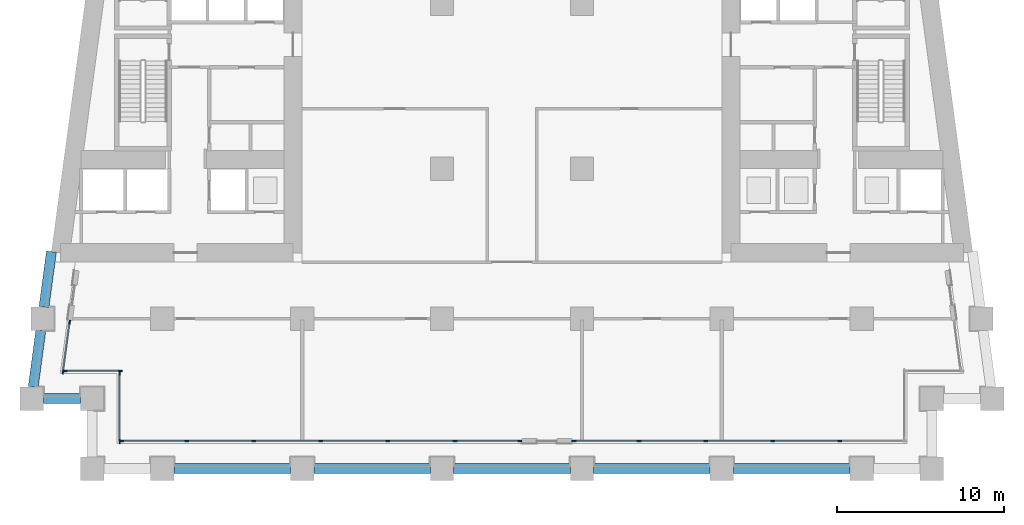
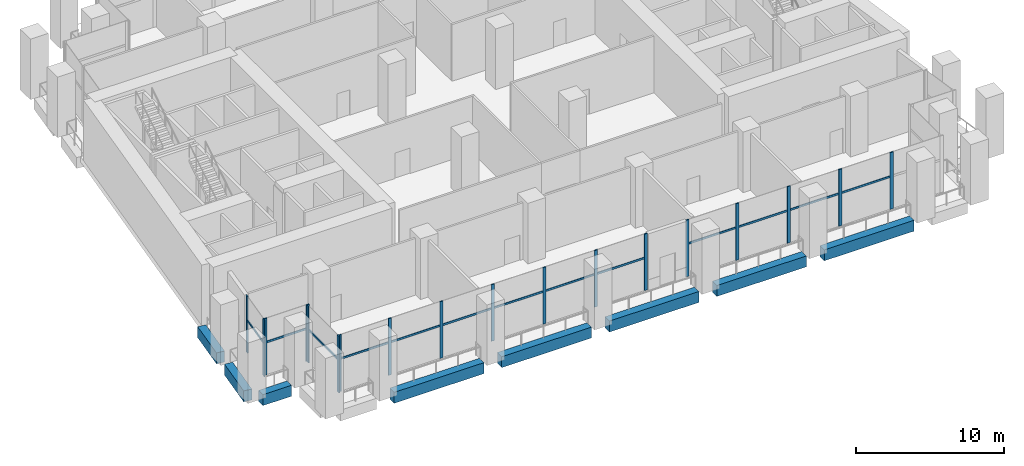
# One storey, part 2 of 15: 31 members, 8 beams, 5 elements without a shape of their own.
"""IFC4 building model written with IfcOpenShell, lengths in metres."""

from ifc_helpers import new_model, si_unit, direction, frame, origin, origin_2d, place, context, subcontext, project, spatial, rectangle, extrude, material, material_profile, profile_set, type_object, element, aggregate, save


model = new_model("IFC4")

# Units and contexts
model_context = context("Model", 3, precision=1e-05, world=origin(), true_north=direction((0.0, 1.0)))
body_context = subcontext(model_context, "Body", "Model", "MODEL_VIEW")
ifc_project = project(units=[si_unit("LENGTHUNIT", "METRE"), si_unit("AREAUNIT", "SQUARE_METRE"), si_unit("VOLUMEUNIT", "CUBIC_METRE"), si_unit("PLANEANGLEUNIT", "RADIAN"), si_unit("MASSUNIT", "GRAM", prefix="KILO")], contexts=[model_context])

# Site, building, storey
site_placement = place(None, origin())
site = spatial("IfcSite", under=ifc_project, at=site_placement, CompositionType="ELEMENT")
building_placement = place(site_placement, origin())
building = spatial("IfcBuilding", under=site, at=building_placement, Name="Candeia Pilgrim Tower and Theatre", CompositionType="ELEMENT")
storey_placement = place(building_placement, frame((0.0, 0.0, 86.0)))
storey = spatial("IfcBuildingStorey", under=building, at=storey_placement, Name="L19", CompositionType="ELEMENT", Elevation=86.0)

# Curtain wall, members
ifc_material_1 = material(Name="Aluminium framed sky lobby glazing", Category="aluminium")
curtain_wall_type = type_object("IfcCurtainWallType", Name="CW-S curtain wall", PredefinedType="NOTDEFINED", material=ifc_material_1)
curtain_wall_1_placement = place(storey_placement, origin())
curtain_wall_1 = element("IfcCurtainWall", 1, at=curtain_wall_1_placement, inside=storey, type_object=curtain_wall_type, Name="Curtain wall CW-S L19.000", PredefinedType="NOTDEFINED")
ifc_material_2 = material(Name="Anodised aluminium", Category="aluminium")
ifc_material_profile_1 = material_profile(ifc_material_2, rectangle(XDim=0.080078125, YDim=0.25, at=origin_2d()))
ifc_profile_set_1 = profile_set([ifc_material_profile_1], Name="Anodised aluminium")
member_type_1 = type_object("IfcMemberType", Name="CW-S mullion 80x250", PredefinedType="MULLION", material=ifc_profile_set_1)
member_1_placement = place(storey_placement, frame((89.97509765625, 99.64990234375, 0.0), z_axis=(0.0, 0.0, 1.0), x_axis=(0.0, 1.0, 0.0)))
member_1 = element("IfcMember", 2, at=member_1_placement, type_object=member_type_1, Name="CW-S mullion 1", PredefinedType="MULLION", context=body_context, shape_type="SweptSolid", body=[
    extrude(rectangle(XDim=0.080078125, YDim=0.25, at=origin_2d()), origin(), (0.0, 0.0, 1.0), 4.679931640625),
])
member_2_placement = place(storey_placement, frame((93.875, 99.64990234375, 0.0), z_axis=(0.0, 0.0, 1.0), x_axis=(0.0, 1.0, 0.0)))
member_2 = element("IfcMember", 3, at=member_2_placement, type_object=member_type_1, Name="CW-S mullion 2", PredefinedType="MULLION", context=body_context, shape_type="SweptSolid", body=[
    extrude(rectangle(XDim=0.080078125, YDim=0.25, at=origin_2d()), origin(), (0.0, 0.0, 1.0), 4.679931640625),
])
member_3_placement = place(storey_placement, frame((97.89990234375, 99.64990234375, 0.0), z_axis=(0.0, 0.0, 1.0), x_axis=(0.0, 1.0, 0.0)))
member_3 = element("IfcMember", 4, at=member_3_placement, type_object=member_type_1, Name="CW-S mullion 3", PredefinedType="MULLION", context=body_context, shape_type="SweptSolid", body=[
    extrude(rectangle(XDim=0.080078125, YDim=0.25, at=origin_2d()), origin(), (0.0, 0.0, 1.0), 4.679931640625),
])
member_4_placement = place(storey_placement, frame((101.925048828125, 99.64990234375, 0.0), z_axis=(0.0, 0.0, 1.0), x_axis=(0.0, 1.0, 0.0)))
member_4 = element("IfcMember", 5, at=member_4_placement, type_object=member_type_1, Name="CW-S mullion 4", PredefinedType="MULLION", context=body_context, shape_type="SweptSolid", body=[
    extrude(rectangle(XDim=0.080078125, YDim=0.25, at=origin_2d()), origin(), (0.0, 0.0, 1.0), 4.679931640625),
])
member_5_placement = place(storey_placement, frame((105.949951171875, 99.64990234375, 0.0), z_axis=(0.0, 0.0, 1.0), x_axis=(0.0, 1.0, 0.0)))
member_5 = element("IfcMember", 6, at=member_5_placement, type_object=member_type_1, Name="CW-S mullion 5", PredefinedType="MULLION", context=body_context, shape_type="SweptSolid", body=[
    extrude(rectangle(XDim=0.080078125, YDim=0.25, at=origin_2d()), origin(), (0.0, 0.0, 1.0), 4.679931640625),
])
member_6_placement = place(storey_placement, frame((109.97509765625, 99.64990234375, 0.0), z_axis=(0.0, 0.0, 1.0), x_axis=(0.0, 1.0, 0.0)))
member_6 = element("IfcMember", 7, at=member_6_placement, type_object=member_type_1, Name="CW-S mullion 6", PredefinedType="MULLION", context=body_context, shape_type="SweptSolid", body=[
    extrude(rectangle(XDim=0.080078125, YDim=0.25, at=origin_2d()), origin(), (0.0, 0.0, 1.0), 4.679931640625),
])
member_7_placement = place(storey_placement, frame((113.875, 99.64990234375, 0.0), z_axis=(0.0, 0.0, 1.0), x_axis=(0.0, 1.0, 0.0)))
member_7 = element("IfcMember", 8, at=member_7_placement, type_object=member_type_1, Name="CW-S mullion 7", PredefinedType="MULLION", context=body_context, shape_type="SweptSolid", body=[
    extrude(rectangle(XDim=0.080078125, YDim=0.25, at=origin_2d()), origin(), (0.0, 0.0, 1.0), 4.679931640625),
])

curtain_wall_2_placement = place(storey_placement, origin())
curtain_wall_2 = element("IfcCurtainWall", 9, at=curtain_wall_2_placement, inside=storey, type_object=curtain_wall_type, Name="Curtain wall CW-S L19.002", PredefinedType="NOTDEFINED")
member_8_placement = place(storey_placement, frame((117.125, 99.64990234375, 0.0), z_axis=(0.0, 0.0, 1.0), x_axis=(0.0, 1.0, 0.0)))
member_8 = element("IfcMember", 10, at=member_8_placement, type_object=member_type_1, Name="CW-S mullion 1", PredefinedType="MULLION", context=body_context, shape_type="SweptSolid", body=[
    extrude(rectangle(XDim=0.080078125, YDim=0.25, at=origin_2d()), origin(), (0.0, 0.0, 1.0), 4.679931640625),
])
member_9_placement = place(storey_placement, frame((121.02001953125, 99.64990234375, 0.0), z_axis=(0.0, 0.0, 1.0), x_axis=(0.0, 1.0, 0.0)))
member_9 = element("IfcMember", 11, at=member_9_placement, type_object=member_type_1, Name="CW-S mullion 2", PredefinedType="MULLION", context=body_context, shape_type="SweptSolid", body=[
    extrude(rectangle(XDim=0.080078125, YDim=0.25, at=origin_2d()), origin(), (0.0, 0.0, 1.0), 4.679931640625),
])
member_10_placement = place(storey_placement, frame((125.0400390625, 99.64990234375, 0.0), z_axis=(0.0, 0.0, 1.0), x_axis=(0.0, 1.0, 0.0)))
member_10 = element("IfcMember", 12, at=member_10_placement, type_object=member_type_1, Name="CW-S mullion 3", PredefinedType="MULLION", context=body_context, shape_type="SweptSolid", body=[
    extrude(rectangle(XDim=0.080078125, YDim=0.25, at=origin_2d()), origin(), (0.0, 0.0, 1.0), 4.679931640625),
])
member_11_placement = place(storey_placement, frame((129.06005859375, 99.64990234375, 0.0), z_axis=(0.0, 0.0, 1.0), x_axis=(0.0, 1.0, 0.0)))
member_11 = element("IfcMember", 13, at=member_11_placement, type_object=member_type_1, Name="CW-S mullion 4", PredefinedType="MULLION", context=body_context, shape_type="SweptSolid", body=[
    extrude(rectangle(XDim=0.080078125, YDim=0.25, at=origin_2d()), origin(), (0.0, 0.0, 1.0), 4.679931640625),
])
member_12_placement = place(storey_placement, frame((133.080078125, 99.64990234375, 0.0), z_axis=(0.0, 0.0, 1.0), x_axis=(0.0, 1.0, 0.0)))
member_12 = element("IfcMember", 14, at=member_12_placement, type_object=member_type_1, Name="CW-S mullion 5", PredefinedType="MULLION", context=body_context, shape_type="SweptSolid", body=[
    extrude(rectangle(XDim=0.080078125, YDim=0.25, at=origin_2d()), origin(), (0.0, 0.0, 1.0), 4.679931640625),
])

curtain_wall_3_placement = place(storey_placement, origin())
curtain_wall_3 = element("IfcCurtainWall", 15, at=curtain_wall_3_placement, inside=storey, type_object=curtain_wall_type, Name="Curtain wall CW-S L19.911", PredefinedType="NOTDEFINED")
member_13_placement = place(storey_placement, frame((86.84814453125, 106.78955078125, 0.0), z_axis=(0.0, 0.0, 1.0), x_axis=(0.991060661622, -0.133412012145, 0.0)))
member_13 = element("IfcMember", 16, at=member_13_placement, type_object=member_type_1, Name="CW-S mullion 1", PredefinedType="MULLION", context=body_context, shape_type="SweptSolid", body=[
    extrude(rectangle(XDim=0.080078125, YDim=0.25, at=origin_2d()), origin(), (0.0, 0.0, 1.0), 4.679931640625),
])
member_14_placement = place(storey_placement, frame((86.4462890625, 103.803955078125, 0.0), z_axis=(0.0, 0.0, 1.0), x_axis=(0.991060661622, -0.133412012145, 0.0)))
member_14 = element("IfcMember", 17, at=member_14_placement, type_object=member_type_1, Name="CW-S mullion 2", PredefinedType="MULLION", context=body_context, shape_type="SweptSolid", body=[
    extrude(rectangle(XDim=0.080078125, YDim=0.25, at=origin_2d()), origin(), (0.0, 0.0, 1.0), 4.679931640625),
])

curtain_wall_4_placement = place(storey_placement, origin())
curtain_wall_4 = element("IfcCurtainWall", 18, at=curtain_wall_4_placement, inside=storey, type_object=curtain_wall_type, Name="Curtain wall CW-S L19.1000", PredefinedType="NOTDEFINED")
member_15_placement = place(storey_placement, frame((86.577392578125, 103.85009765625, 0.0), z_axis=(0.0, 0.0, 1.0), x_axis=(0.0, 1.0, 0.0)))
member_15 = element("IfcMember", 19, at=member_15_placement, type_object=member_type_1, Name="CW-S mullion 1", PredefinedType="MULLION", context=body_context, shape_type="SweptSolid", body=[
    extrude(rectangle(XDim=0.080078125, YDim=0.25, at=origin_2d()), origin(), (0.0, 0.0, 1.0), 4.679931640625),
])
member_16_placement = place(storey_placement, frame((89.875, 103.85009765625, 0.0), z_axis=(0.0, 0.0, 1.0), x_axis=(0.0, 1.0, 0.0)))
member_16 = element("IfcMember", 20, at=member_16_placement, type_object=member_type_1, Name="CW-S mullion 2", PredefinedType="MULLION", context=body_context, shape_type="SweptSolid", body=[
    extrude(rectangle(XDim=0.080078125, YDim=0.25, at=origin_2d()), origin(), (0.0, 0.0, 1.0), 4.679931640625),
])

curtain_wall_5_placement = place(storey_placement, origin())
curtain_wall_5 = element("IfcCurtainWall", 21, at=curtain_wall_5_placement, inside=storey, type_object=curtain_wall_type, Name="Curtain wall CW-S L19.1100", PredefinedType="NOTDEFINED")
member_17_placement = place(storey_placement, frame((89.85009765625, 103.72509765625, 0.0), z_axis=(0.0, 0.0, 1.0), x_axis=(1.0, 0.0, 0.0)))
member_17 = element("IfcMember", 22, at=member_17_placement, type_object=member_type_1, Name="CW-S mullion 1", PredefinedType="MULLION", context=body_context, shape_type="SweptSolid", body=[
    extrude(rectangle(XDim=0.080078125, YDim=0.25, at=origin_2d()), origin(), (0.0, 0.0, 1.0), 4.679931640625),
])
member_18_placement = place(storey_placement, frame((89.85009765625, 99.625, 0.0), z_axis=(0.0, 0.0, 1.0), x_axis=(1.0, 0.0, 0.0)))
member_18 = element("IfcMember", 23, at=member_18_placement, type_object=member_type_1, Name="CW-S mullion 2", PredefinedType="MULLION", context=body_context, shape_type="SweptSolid", body=[
    extrude(rectangle(XDim=0.080078125, YDim=0.25, at=origin_2d()), origin(), (0.0, 0.0, 1.0), 4.679931640625),
])

# Member
ifc_material_profile_2 = material_profile(ifc_material_2, rectangle(XDim=0.080078125, YDim=0.159912109375, at=origin_2d()))
ifc_profile_set_2 = profile_set([ifc_material_profile_2], Name="Anodised aluminium")
member_type_2 = type_object("IfcMemberType", Name="CW-S transom 80x160", PredefinedType="USERDEFINED", material=ifc_profile_set_2)
member_19_placement = place(storey_placement, frame((90.014892578125, 99.64990234375, 2.699951171875), z_axis=(1.0, 0.0, 0.0), x_axis=(0.0, 1.0, 0.0)))
member_19 = element("IfcMember", 24, at=member_19_placement, type_object=member_type_2, Name="CW-S transom 1.1", ObjectType="TRANSOM", PredefinedType="USERDEFINED", context=body_context, shape_type="SweptSolid", body=[
    extrude(rectangle(XDim=0.080078125, YDim=0.159912109375, at=origin_2d()), origin(), (0.0, 0.0, 1.0), 3.820068359375),
])

member_20_placement = place(storey_placement, frame((93.9150390625, 99.64990234375, 2.699951171875), z_axis=(1.0, 0.0, 0.0), x_axis=(0.0, 1.0, 0.0)))
member_20 = element("IfcMember", 25, at=member_20_placement, type_object=member_type_2, Name="CW-S transom 2.1", ObjectType="TRANSOM", PredefinedType="USERDEFINED", context=body_context, shape_type="SweptSolid", body=[
    extrude(rectangle(XDim=0.080078125, YDim=0.159912109375, at=origin_2d()), origin(), (0.0, 0.0, 1.0), 3.945068359375),
])

member_21_placement = place(storey_placement, frame((97.93994140625, 99.64990234375, 2.699951171875), z_axis=(1.0, 0.0, 0.0), x_axis=(0.0, 1.0, 0.0)))
member_21 = element("IfcMember", 26, at=member_21_placement, type_object=member_type_2, Name="CW-S transom 3.1", ObjectType="TRANSOM", PredefinedType="USERDEFINED", context=body_context, shape_type="SweptSolid", body=[
    extrude(rectangle(XDim=0.080078125, YDim=0.159912109375, at=origin_2d()), origin(), (0.0, 0.0, 1.0), 3.945068359375),
])

member_22_placement = place(storey_placement, frame((101.965087890625, 99.64990234375, 2.699951171875), z_axis=(1.0, 0.0, 0.0), x_axis=(0.0, 1.0, 0.0)))
member_22 = element("IfcMember", 27, at=member_22_placement, type_object=member_type_2, Name="CW-S transom 4.1", ObjectType="TRANSOM", PredefinedType="USERDEFINED", context=body_context, shape_type="SweptSolid", body=[
    extrude(rectangle(XDim=0.080078125, YDim=0.159912109375, at=origin_2d()), origin(), (0.0, 0.0, 1.0), 3.94482421875),
])

member_23_placement = place(storey_placement, frame((105.989990234375, 99.64990234375, 2.699951171875), z_axis=(1.0, 0.0, 0.0), x_axis=(0.0, 1.0, 0.0)))
member_23 = element("IfcMember", 28, at=member_23_placement, type_object=member_type_2, Name="CW-S transom 5.1", ObjectType="TRANSOM", PredefinedType="USERDEFINED", context=body_context, shape_type="SweptSolid", body=[
    extrude(rectangle(XDim=0.080078125, YDim=0.159912109375, at=origin_2d()), origin(), (0.0, 0.0, 1.0), 3.945068359375),
])

member_24_placement = place(storey_placement, frame((110.014892578125, 99.64990234375, 2.699951171875), z_axis=(1.0, 0.0, 0.0), x_axis=(0.0, 1.0, 0.0)))
member_24 = element("IfcMember", 29, at=member_24_placement, type_object=member_type_2, Name="CW-S transom 6.1", ObjectType="TRANSOM", PredefinedType="USERDEFINED", context=body_context, shape_type="SweptSolid", body=[
    extrude(rectangle(XDim=0.080078125, YDim=0.159912109375, at=origin_2d()), origin(), (0.0, 0.0, 1.0), 3.820068359375),
])

aggregate(curtain_wall_1, [member_1, member_2, member_3, member_4, member_5, member_6, member_7, member_19, member_20, member_21, member_22, member_23, member_24])

member_25_placement = place(storey_placement, frame((117.1650390625, 99.64990234375, 2.699951171875), z_axis=(1.0, 0.0, 0.0), x_axis=(0.0, 1.0, 0.0)))
member_25 = element("IfcMember", 30, at=member_25_placement, type_object=member_type_2, Name="CW-S transom 1.1", ObjectType="TRANSOM", PredefinedType="USERDEFINED", context=body_context, shape_type="SweptSolid", body=[
    extrude(rectangle(XDim=0.080078125, YDim=0.159912109375, at=origin_2d()), origin(), (0.0, 0.0, 1.0), 3.81494140625),
])

member_26_placement = place(storey_placement, frame((121.06005859375, 99.64990234375, 2.699951171875), z_axis=(1.0, 0.0, 0.0), x_axis=(0.0, 1.0, 0.0)))
member_26 = element("IfcMember", 31, at=member_26_placement, type_object=member_type_2, Name="CW-S transom 2.1", ObjectType="TRANSOM", PredefinedType="USERDEFINED", context=body_context, shape_type="SweptSolid", body=[
    extrude(rectangle(XDim=0.080078125, YDim=0.159912109375, at=origin_2d()), origin(), (0.0, 0.0, 1.0), 3.93994140625),
])

member_27_placement = place(storey_placement, frame((125.080078125, 99.64990234375, 2.699951171875), z_axis=(1.0, 0.0, 0.0), x_axis=(0.0, 1.0, 0.0)))
member_27 = element("IfcMember", 32, at=member_27_placement, type_object=member_type_2, Name="CW-S transom 3.1", ObjectType="TRANSOM", PredefinedType="USERDEFINED", context=body_context, shape_type="SweptSolid", body=[
    extrude(rectangle(XDim=0.080078125, YDim=0.159912109375, at=origin_2d()), origin(), (0.0, 0.0, 1.0), 3.93994140625),
])

member_28_placement = place(storey_placement, frame((129.10009765625, 99.64990234375, 2.699951171875), z_axis=(1.0, 0.0, 0.0), x_axis=(0.0, 1.0, 0.0)))
member_28 = element("IfcMember", 33, at=member_28_placement, type_object=member_type_2, Name="CW-S transom 4.1", ObjectType="TRANSOM", PredefinedType="USERDEFINED", context=body_context, shape_type="SweptSolid", body=[
    extrude(rectangle(XDim=0.080078125, YDim=0.159912109375, at=origin_2d()), origin(), (0.0, 0.0, 1.0), 3.93994140625),
])

aggregate(curtain_wall_2, [member_8, member_9, member_10, member_11, member_12, member_25, member_26, member_27, member_28])

member_29_placement = place(storey_placement, frame((86.8427734375, 106.75, 2.699951171875), z_axis=(-0.133445032695, -0.991056215988, 0.0), x_axis=(0.991056215988, -0.133445032695, 0.0)))
member_29 = element("IfcMember", 34, at=member_29_placement, type_object=member_type_2, Name="CW-S transom 1.1", ObjectType="TRANSOM", PredefinedType="USERDEFINED", context=body_context, shape_type="SweptSolid", body=[
    extrude(rectangle(XDim=0.080078125, YDim=0.159912109375, at=origin_2d()), origin(), (0.0, 0.0, 1.0), 2.9326171875),
])

aggregate(curtain_wall_3, [member_13, member_14, member_29])

member_30_placement = place(storey_placement, frame((86.617431640625, 103.85009765625, 2.699951171875), z_axis=(1.0, 0.0, 0.0), x_axis=(0.0, 1.0, 0.0)))
member_30 = element("IfcMember", 35, at=member_30_placement, type_object=member_type_2, Name="CW-S transom 1.1", ObjectType="TRANSOM", PredefinedType="USERDEFINED", context=body_context, shape_type="SweptSolid", body=[
    extrude(rectangle(XDim=0.080078125, YDim=0.159912109375, at=origin_2d()), origin(), (0.0, 0.0, 1.0), 3.217529296875),
])

aggregate(curtain_wall_4, [member_15, member_16, member_30])

member_31_placement = place(storey_placement, frame((89.85009765625, 103.68505859375, 2.699951171875), z_axis=(0.0, -1.0, 0.0), x_axis=(1.0, 0.0, 0.0)))
member_31 = element("IfcMember", 36, at=member_31_placement, type_object=member_type_2, Name="CW-S transom 1.1", ObjectType="TRANSOM", PredefinedType="USERDEFINED", context=body_context, shape_type="SweptSolid", body=[
    extrude(rectangle(XDim=0.080078125, YDim=0.159912109375, at=origin_2d()), origin(), (0.0, 0.0, 1.0), 4.02001953125),
])

aggregate(curtain_wall_5, [member_17, member_18, member_31])

# Beams
ifc_material_3 = material(Name="Concrete C80/95", Category="concrete")
ifc_material_profile_3 = material_profile(ifc_material_3, rectangle(XDim=0.60009765625, YDim=0.89990234375, at=origin_2d()))
ifc_profile_set_3 = profile_set([ifc_material_profile_3], Name="Concrete C80/95")
beam_type = type_object("IfcBeamType", Name="RC 600x900 C80/95", PredefinedType="BEAM", material=ifc_profile_set_3)
for number, where, z_axis, x_axis, name in (
    (37, (93.10009765625, 98.0, -0.449951171875), (1.0, 0.0, 0.0), (0.0, 1.0, 0.0), "Spandrel beam L19-02"),
    (38, (101.5, 98.0, -0.449951171875), (1.0, 0.0, 0.0), (0.0, 1.0, 0.0), "Spandrel beam L19-03"),
    (39, (109.89990234375, 98.0, -0.449951171875), (1.0, 0.0, 0.0), (0.0, 1.0, 0.0), "Spandrel beam L19-04"),
    (40, (118.300048828125, 98.0, -0.449951171875), (1.0, 0.0, 0.0), (0.0, 1.0, 0.0), "Spandrel beam L19-05"),
    (41, (126.699951171875, 98.0, -0.449951171875), (1.0, 0.0, 0.0), (0.0, 1.0, 0.0), "Spandrel beam L19-06"),
):
    element("IfcBeam", number, at=place(storey_placement, frame(where, z_axis=z_axis, x_axis=x_axis)), inside=storey, type_object=beam_type, Name=name, PredefinedType="BEAM", context=body_context, shape_type="SweptSolid", body=[
        extrude(rectangle(XDim=0.60009765625, YDim=0.89990234375, at=origin_2d()), origin(), (0.0, 0.0, 1.0), 7.0),
    ])
beam_1_placement = place(storey_placement, frame((85.753173828125, 111.0234375, -0.449951171875), z_axis=(-0.133446390132, -0.991056033209, 0.0), x_axis=(0.991056033209, -0.133446390132, 0.0)))
element("IfcBeam", 42, at=beam_1_placement, inside=storey, type_object=beam_type, Name="Spandrel beam L19-25", PredefinedType="BEAM", context=body_context, shape_type="SweptSolid", body=[
    extrude(rectangle(XDim=0.60009765625, YDim=0.89990234375, at=origin_2d()), origin(), (0.0, 0.0, 1.0), 3.353515625),
])
beam_2_placement = place(storey_placement, frame((85.1171875, 106.300048828125, -0.449951171875), z_axis=(-0.133356902381, -0.991068078685, 0.0), x_axis=(0.991068078685, -0.133356902381, 0.0)))
element("IfcBeam", 43, at=beam_2_placement, inside=storey, type_object=beam_type, Name="Spandrel beam L19-26", PredefinedType="BEAM", context=body_context, shape_type="SweptSolid", body=[
    extrude(rectangle(XDim=0.60009765625, YDim=0.89990234375, at=origin_2d()), origin(), (0.0, 0.0, 1.0), 3.430908203125),
])
beam_3_placement = place(storey_placement, frame((85.265380859375, 102.199951171875, -0.449951171875), z_axis=(1.0, 0.0, 0.0), x_axis=(0.0, 1.0, 0.0)))
element("IfcBeam", 44, at=beam_3_placement, inside=storey, type_object=beam_type, Name="Spandrel beam L19-27", PredefinedType="BEAM", context=body_context, shape_type="SweptSolid", body=[
    extrude(rectangle(XDim=0.60009765625, YDim=0.89990234375, at=origin_2d()), origin(), (0.0, 0.0, 1.0), 2.234619140625),
])

save(model, "model.ifc")
